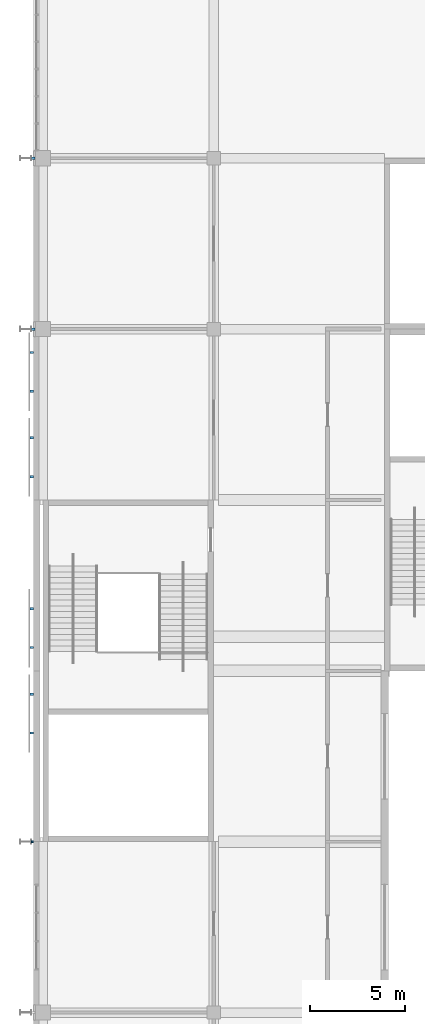
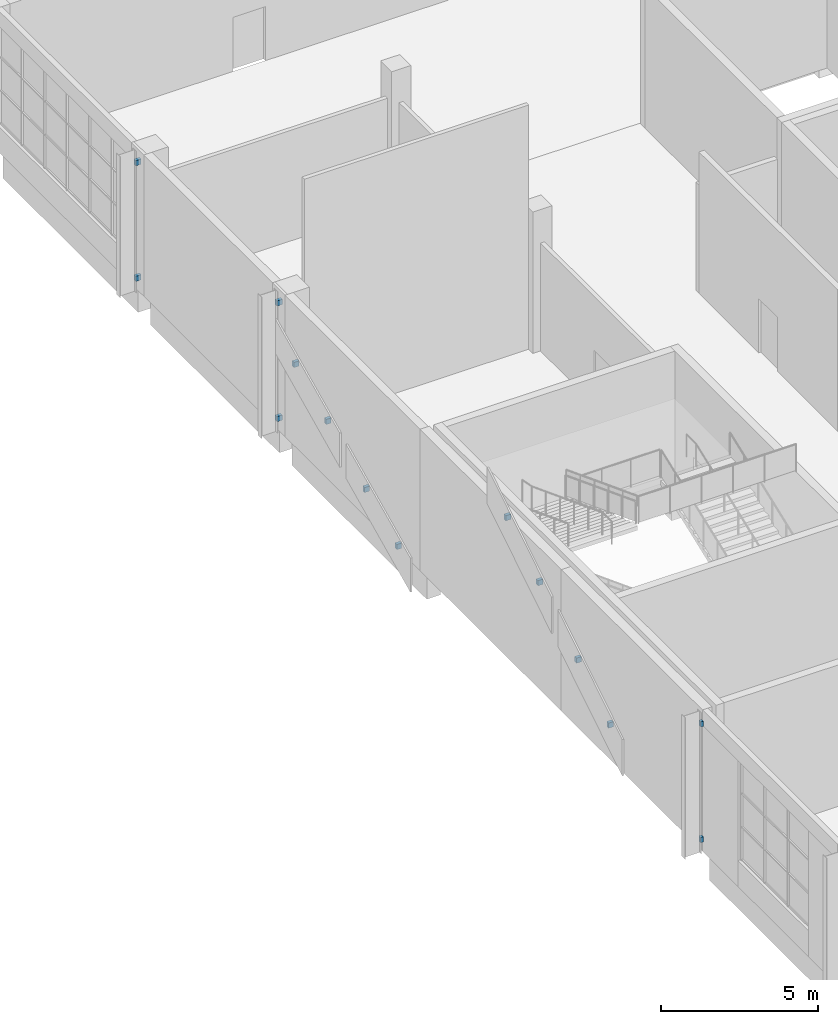
# One storey, part 52 of 84: 14 discrete accessories.
"""IFC4 building model written with IfcOpenShell, lengths in metres."""

from ifc_helpers import new_model, si_unit, direction, frame, origin, origin_2d, place, context, subcontext, project, spatial, rectangle, extrude, material, type_object, element, save


model = new_model("IFC4")

# Units and contexts
model_context = context("Model", 3, precision=1e-05, world=origin(), true_north=direction((0.0, 1.0)))
body_context = subcontext(model_context, "Body", "Model", "MODEL_VIEW")
ifc_project = project(units=[si_unit("LENGTHUNIT", "METRE"), si_unit("AREAUNIT", "SQUARE_METRE"), si_unit("VOLUMEUNIT", "CUBIC_METRE"), si_unit("PLANEANGLEUNIT", "RADIAN"), si_unit("MASSUNIT", "GRAM", prefix="KILO")], contexts=[model_context])

# Site, building, storey
site_placement = place(None, origin())
site = spatial("IfcSite", under=ifc_project, at=site_placement, CompositionType="ELEMENT")
building_placement = place(site_placement, origin())
building = spatial("IfcBuilding", under=site, at=building_placement, Name="Silverbay Arena", CompositionType="ELEMENT")
storey_placement = place(building_placement, frame((0.0, 0.0, 28.0)))
storey = spatial("IfcBuildingStorey", under=building, at=storey_placement, Name="L04", CompositionType="ELEMENT", Elevation=28.0)

# Discrete accessories
ifc_material = material(Name="Steel S355", Category="steel")
discrete_accessory_type = type_object("IfcDiscreteAccessoryType", Name="Steel bracket plate", PredefinedType="BRACKET", material=ifc_material)
for number, where, z_axis, x_axis, name in (
    (1, (53.449951171875, 90.0, 0.39990234375), (0.0, 0.0, 1.0), (1.0, 0.0, 0.0), "Fin bracket"),
    (2, (53.449951171875, 90.0, 4.89990234375), (0.0, 0.0, 1.0), (1.0, 0.0, 0.0), "Fin bracket"),
):
    element("IfcDiscreteAccessory", number, at=place(storey_placement, frame(where, z_axis=z_axis, x_axis=x_axis)), inside=storey, type_object=discrete_accessory_type, Name=name, PredefinedType="BRACKET", context=body_context, shape_type="SweptSolid", body=[
        extrude(rectangle(XDim=0.10009765625, YDim=0.1201171875, at=origin_2d()), origin(), (0.0, 0.0, 1.0), 0.199951171875),
    ])
for number, where, z_axis, x_axis, name in (
    (3, (53.5, 117.0, 0.39990234375), (0.0, 0.0, 1.0), (1.0, 0.0, 0.0), "Fin bracket"),
    (4, (53.5, 117.0, 4.89990234375), (0.0, 0.0, 1.0), (1.0, 0.0, 0.0), "Fin bracket"),
    (5, (53.5, 126.0, 0.39990234375), (0.0, 0.0, 1.0), (1.0, 0.0, 0.0), "Fin bracket"),
    (6, (53.5, 126.0, 4.89990234375), (0.0, 0.0, 1.0), (1.0, 0.0, 0.0), "Fin bracket"),
):
    element("IfcDiscreteAccessory", number, at=place(storey_placement, frame(where, z_axis=z_axis, x_axis=x_axis)), inside=storey, type_object=discrete_accessory_type, Name=name, PredefinedType="BRACKET", context=body_context, shape_type="SweptSolid", body=[
        extrude(rectangle(XDim=0.199951171875, YDim=0.1201171875, at=origin_2d()), origin(), (0.0, 0.0, 1.0), 0.199951171875),
    ])
for number, where, z_axis, x_axis, name in (
    (7, (53.409912109375, 109.22509765625, 0.1708984375), (0.0, 0.0, 1.0), (1.0, 0.0, 0.0), "Band bracket"),
    (8, (53.409912109375, 111.27490234375, 1.14501953125), (0.0, 0.0, 1.0), (1.0, 0.0, 0.0), "Band bracket"),
    (9, (53.409912109375, 113.72509765625, 2.30859375), (0.0, 0.0, 1.0), (1.0, 0.0, 0.0), "Band bracket"),
    (10, (53.409912109375, 115.77490234375, 3.2822265625), (0.0, 0.0, 1.0), (1.0, 0.0, 0.0), "Band bracket"),
    (11, (53.409912109375, 95.72509765625, 1.41064453125), (0.0, 0.0, 1.0), (1.0, 0.0, 0.0), "Band bracket"),
    (12, (53.409912109375, 97.77490234375, 2.69189453125), (0.0, 0.0, 1.0), (1.0, 0.0, 0.0), "Band bracket"),
    (13, (53.409912109375, 100.22509765625, 4.22314453125), (0.0, 0.0, 1.0), (1.0, 0.0, 0.0), "Band bracket"),
    (14, (53.409912109375, 102.27490234375, 5.50439453125), (0.0, 0.0, 1.0), (1.0, 0.0, 0.0), "Band bracket"),
):
    element("IfcDiscreteAccessory", number, at=place(storey_placement, frame(where, z_axis=z_axis, x_axis=x_axis)), inside=storey, type_object=discrete_accessory_type, Name=name, PredefinedType="BRACKET", context=body_context, shape_type="SweptSolid", body=[
        extrude(rectangle(XDim=0.179931640625, YDim=0.1201171875, at=origin_2d()), origin(), (0.0, 0.0, 1.0), 0.199951171875),
    ])

save(model, "model.ifc")
